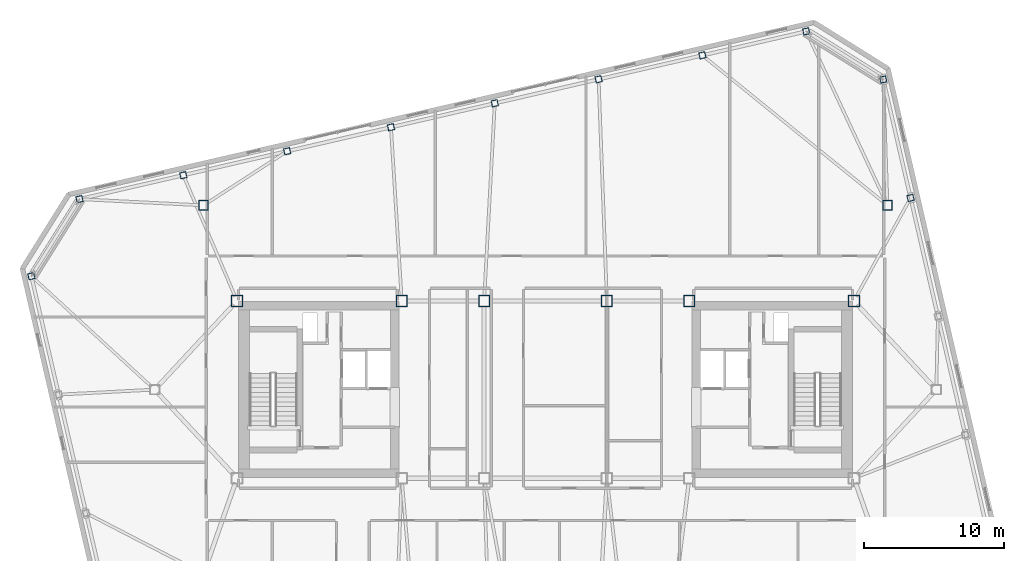
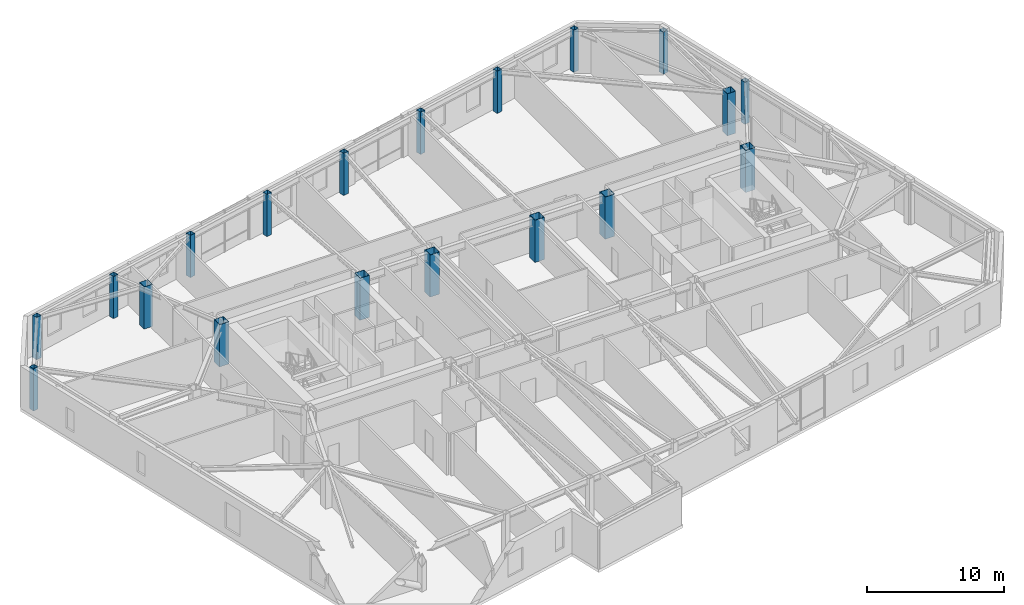
# One storey, part 3 of 21: 19 columns.
"""IFC4 building model written with IfcOpenShell, lengths in metres."""

import ifcopenshell
import ifcopenshell.guid

model = None  # the IFC model being written
_history = None  # IfcOwnerHistory: only IFC2X3 demands one
_inside = {}  # id of a spatial element -> (the spatial element, [elements in it])
_under = {}  # id of a project, library or spatial element -> (it, [spatial elements below it])
_declared = {}  # id of a project -> (the project, [libraries it declares])
_typed = {}  # id of a type object -> (the type object, [elements of that type])
_made_of = {}  # id of a material, layer set ... -> (it, [elements and type objects made of it])


def new_model(schema):
    """Start an empty IFC model of exactly this schema.

    Asked for "IFC4X3", IfcOpenShell would pick the latest addendum, in which some entities
    have other attributes; the version numbers below select the first issue.
    IFC2X3 requires an IfcOwnerHistory on every rooted entity: one is made here for all.
    """
    global model, _history
    if schema == "IFC4X3":
        model = ifcopenshell.file(schema_version=(4, 3, 0, 0))
    else:
        model = ifcopenshell.file(schema=schema)
    _inside.clear()
    _under.clear()
    _declared.clear()
    _typed.clear()
    _made_of.clear()
    _history = None
    if model.schema == "IFC2X3":
        org = make("IfcOrganization", Name="unknown")
        user = make(
            "IfcPersonAndOrganization",
            ThePerson=make("IfcPerson", FamilyName="unknown"),
            TheOrganization=org,
        )
        app = make(
            "IfcApplication",
            ApplicationDeveloper=org,
            Version="unknown",
            ApplicationFullName="unknown",
            ApplicationIdentifier="unknown",
        )
        _history = make(
            "IfcOwnerHistory",
            OwningUser=user,
            OwningApplication=app,
            ChangeAction="ADDED",
            CreationDate=0,
        )
    return model


def make(cls, **values):
    """One entity of the class cls with the attributes given. An attribute that is None is left unset."""
    return model.create_entity(
        cls, **{name: value for name, value in values.items() if value is not None}
    )


def rooted(cls, **values):
    """An entity with a GlobalId (a new one), such as an element, a storey or a relation."""
    return make(cls, GlobalId=ifcopenshell.guid.new(), OwnerHistory=_history, **values)


def si_unit(unit_type, name, prefix=None):
    """IfcSIUnit, for example si_unit("LENGTHUNIT", "METRE", prefix="MILLI")."""
    return make("IfcSIUnit", UnitType=unit_type, Prefix=prefix, Name=name)


def assignment(units):
    """IfcUnitAssignment: the units of a project."""
    return None if units is None else make("IfcUnitAssignment", Units=units)


def point(xyz):
    """IfcCartesianPoint."""
    return None if xyz is None else make("IfcCartesianPoint", Coordinates=xyz)


def direction(xyz):
    """IfcDirection."""
    return None if xyz is None else make("IfcDirection", DirectionRatios=xyz)


def frame(location, z_axis=None, x_axis=None):
    """IfcAxis2Placement3D, a coordinate frame: its origin and axes. An axis left out is left unset."""
    return make(
        "IfcAxis2Placement3D",
        Location=point(location),
        Axis=direction(z_axis),
        RefDirection=direction(x_axis),
    )


def frame_2d(location, x_axis=None):
    """IfcAxis2Placement2D, a coordinate frame in the plane: its origin and x axis."""
    return make(
        "IfcAxis2Placement2D", Location=point(location), RefDirection=direction(x_axis)
    )


def origin():
    """The frame at (0, 0, 0) with its axes left unset."""
    return frame((0.0, 0.0, 0.0))


def origin_2d():
    """The frame at (0, 0) in the plane with its x axis left unset."""
    return frame_2d((0.0, 0.0))


def place(relative_to, where):
    """IfcLocalPlacement: puts the frame where relative to a parent placement (None: the world)."""
    return make(
        "IfcLocalPlacement", PlacementRelTo=relative_to, RelativePlacement=where
    )


def context(
    kind, dimensions, precision=None, world=None, true_north=None, identifier=None
):
    """IfcGeometricRepresentationContext, for example the 3D "Model" context."""
    return make(
        "IfcGeometricRepresentationContext",
        ContextIdentifier=identifier,
        ContextType=kind,
        CoordinateSpaceDimension=dimensions,
        Precision=precision,
        WorldCoordinateSystem=world,
        TrueNorth=true_north,
    )


def subcontext(parent, identifier, kind, view, scale=None):
    """IfcGeometricRepresentationSubContext, for example "Body" below "Model"."""
    return make(
        "IfcGeometricRepresentationSubContext",
        ContextIdentifier=identifier,
        ContextType=kind,
        ParentContext=parent,
        TargetScale=scale,
        TargetView=view,
    )


def project(units=None, contexts=None):
    """IfcProject with its units and contexts."""
    return rooted(
        "IfcProject",
        Name="project",
        RepresentationContexts=contexts,
        UnitsInContext=assignment(units),
    )


def spatial(cls, under=None, at=None, **own):
    """A site, building, storey or space (cls), placed at a placement, below another one or the project."""
    s = rooted(cls, ObjectPlacement=at, **own)
    if under is not None:
        _under.setdefault(under.id(), (under, []))[1].append(s)
    return s


def profile(cls, at=None, kind="AREA", **sizes):
    """A parametric profile (cls). Its sizes go by their IFC names, for example OverallWidth=200.0."""
    return make(cls, ProfileType=kind, Position=at, **sizes)


def hollow_rectangle(**sizes):
    """IfcRectangleHollowProfileDef."""
    return profile("IfcRectangleHollowProfileDef", **sizes)


def extrude(swept, where, along, depth):
    """IfcExtrudedAreaSolid: the profile swept, set in the frame where, extruded along a direction by depth."""
    return make(
        "IfcExtrudedAreaSolid",
        SweptArea=swept,
        Position=where,
        ExtrudedDirection=direction(along),
        Depth=depth,
    )


def shape(context_of_items, identifier, shape_type, items):
    """IfcShapeRepresentation: the items that make up one representation, for example the "Body"."""
    return make(
        "IfcShapeRepresentation",
        ContextOfItems=context_of_items,
        RepresentationIdentifier=identifier,
        RepresentationType=shape_type,
        Items=items,
    )


def material(Name=None, Category=None):
    """IfcMaterial."""
    return make("IfcMaterial", Name=Name, Category=Category)


def material_profile(
    of_material, cross_section, Name=None, Category=None, Priority=None
):
    """IfcMaterialProfile: a cross section and its material."""
    return make(
        "IfcMaterialProfile",
        Name=Name,
        Material=of_material,
        Profile=cross_section,
        Priority=Priority,
        Category=Category,
    )


def profile_set(profiles, Name=None, composite=None):
    """IfcMaterialProfileSet."""
    return make(
        "IfcMaterialProfileSet",
        Name=Name,
        MaterialProfiles=profiles,
        CompositeProfile=composite,
    )


def made_of(thing, what):
    """Note that an element or type object is made of a material, layer set ...; save() writes the relation."""
    if what is not None:
        _made_of.setdefault(what.id(), (what, []))[1].append(thing)
    return thing


def type_object(cls, material=None, **own):
    """A type object (cls), such as IfcWallType, which elements share."""
    return made_of(rooted(cls, **own), material)


def element(
    cls,
    number,
    at=None,
    inside=None,
    cuts=None,
    type_object=None,
    material=None,
    context=None,
    identifier="Body",
    shape_type=None,
    held_by="IfcProductDefinitionShape",
    body=None,
    shapes=None,
    **own,
):
    """One element of the class cls, such as IfcWall. Its Tag is "e" and its number.

    at: its placement. inside: the storey or other place that contains it. cuts: it is an
    opening in that element (IfcRelVoidsElement). A single representation is given by context,
    identifier, shape_type and body (its items); several are given by shapes. held_by: the class
    of the entity that holds the representations. save() writes the other relations.
    """
    e = rooted(cls, Tag="e%d" % number, ObjectPlacement=at, **own)
    if body is not None:
        shapes = [shape(context, identifier, shape_type, body)]
    if shapes is not None:
        e.Representation = make(held_by, Representations=shapes)
    if inside is not None:
        _inside.setdefault(inside.id(), (inside, []))[1].append(e)
    if cuts is not None:
        rooted(
            "IfcRelVoidsElement", RelatingBuildingElement=cuts, RelatedOpeningElement=e
        )
    if type_object is not None:
        _typed.setdefault(type_object.id(), (type_object, []))[1].append(e)
    return made_of(e, material)


def aggregate(whole, parts):
    """IfcRelAggregates: a whole, such as a stair, and the parts it consists of."""
    return rooted("IfcRelAggregates", RelatingObject=whole, RelatedObjects=parts)


def save(model, path):
    """Write the relations noted so far, then the file.

    IfcRelAggregates (storeys below a building ...), IfcRelContainedInSpatialStructure (elements
    in a storey), IfcRelDefinesByType, IfcRelAssociatesMaterial and IfcRelDeclares: one each for
    every whole, place, type object, material and project.
    """
    for whole, parts in _under.values():
        aggregate(whole, parts)
    for where, things in _inside.values():
        rooted(
            "IfcRelContainedInSpatialStructure",
            RelatedElements=things,
            RelatingStructure=where,
        )
    for kind, things in _typed.values():
        rooted("IfcRelDefinesByType", RelatedObjects=things, RelatingType=kind)
    for what, things in _made_of.values():
        rooted("IfcRelAssociatesMaterial", RelatedObjects=things, RelatingMaterial=what)
    for by, libraries in _declared.values():
        rooted("IfcRelDeclares", RelatingContext=by, RelatedDefinitions=libraries)
    model.write(path)


model = new_model("IFC4")

# Units and contexts
model_context = context("Model", 3, precision=1e-05, world=origin(), true_north=direction((0.0, 1.0)))
body_context = subcontext(model_context, "Body", "Model", "MODEL_VIEW")
ifc_project = project(units=[si_unit("LENGTHUNIT", "METRE"), si_unit("AREAUNIT", "SQUARE_METRE"), si_unit("VOLUMEUNIT", "CUBIC_METRE"), si_unit("PLANEANGLEUNIT", "RADIAN"), si_unit("MASSUNIT", "GRAM", prefix="KILO")], contexts=[model_context])

# Site, building, storey
site_placement = place(None, origin())
site = spatial("IfcSite", under=ifc_project, at=site_placement, CompositionType="ELEMENT")
building_placement = place(site_placement, origin())
building = spatial("IfcBuilding", under=site, at=building_placement, Name="Tavrogorsk Clinical Tower", CompositionType="ELEMENT")
storey_placement = place(building_placement, frame((0.0, 0.0, 285.0)))
storey = spatial("IfcBuildingStorey", under=building, at=storey_placement, Name="L66", CompositionType="ELEMENT", Elevation=285.0)

# Columns
ifc_material_1 = material(Name="Structural steel S440", Category="steel")
ifc_material_profile_1 = material_profile(ifc_material_1, hollow_rectangle(XDim=0.699951171875, YDim=0.699951171875, WallThickness=0.031982421875, at=origin_2d()), Name="BOX-700x700x32")
ifc_profile_set_1 = profile_set([ifc_material_profile_1], Name="Structural steel S440")
column_type_1 = type_object("IfcColumnType", Name="MegaCol_BOX700", PredefinedType="COLUMN", material=ifc_profile_set_1)
for number, where, z_axis, x_axis, name in (
    (1, (-24.5, 13.199951171875, 0.0), (0.0, 0.0, 1.0), (1.0, 0.0, 0.0), "L66 Spine Pilotis Column MC-P3"),
    (2, (24.5, 13.199951171875, 0.0), (0.0, 0.0, 1.0), (1.0, 0.0, 0.0), "L66 Spine Pilotis Column MC-P4"),
):
    element("IfcColumn", number, at=place(storey_placement, frame(where, z_axis=z_axis, x_axis=x_axis)), inside=storey, type_object=column_type_1, Name=name, PredefinedType="COLUMN", context=body_context, shape_type="SweptSolid", body=[
        extrude(hollow_rectangle(XDim=0.699951171875, YDim=0.699951171875, WallThickness=0.031982421875, at=origin_2d()), origin(), (0.0, 0.0, 1.0), 3.739990234375),
    ])
ifc_material_2 = material(Name="Structural steel S440", Category="steel")
ifc_material_profile_2 = material_profile(ifc_material_2, hollow_rectangle(XDim=0.800048828125, YDim=0.800048828125, WallThickness=0.035888671875, at=origin_2d()), Name="BOX-800x800x36")
ifc_profile_set_2 = profile_set([ifc_material_profile_2], Name="Structural steel S440")
column_type_2 = type_object("IfcColumnType", Name="MegaCol_BOX800", PredefinedType="COLUMN", material=ifc_profile_set_2)
for number, where, z_axis, x_axis, name in (
    (3, (-22.10009765625, 6.35009765625, 0.0), (0.0, 0.0, 1.0), (1.0, 0.0, 0.0), "L66 Mega Column MC-W2"),
    (4, (-10.300048828125, 6.35009765625, 0.0), (0.0, 0.0, 1.0), (1.0, 0.0, 0.0), "L66 Mega Column MC-W4"),
    (5, (10.300048828125, 6.35009765625, 0.0), (0.0, 0.0, 1.0), (1.0, 0.0, 0.0), "L66 Mega Column MC-E2"),
    (6, (22.10009765625, 6.35009765625, 0.0), (0.0, 0.0, 1.0), (1.0, 0.0, 0.0), "L66 Mega Column MC-E4"),
    (7, (-4.39990234375, 6.35009765625, 0.0), (0.0, 0.0, 1.0), (1.0, 0.0, 0.0), "L66 Mega Column MC-C3"),
    (8, (4.39990234375, 6.35009765625, 0.0), (0.0, 0.0, 1.0), (1.0, 0.0, 0.0), "L66 Mega Column MC-C4"),
):
    element("IfcColumn", number, at=place(storey_placement, frame(where, z_axis=z_axis, x_axis=x_axis)), inside=storey, type_object=column_type_2, Name=name, PredefinedType="COLUMN", context=body_context, shape_type="SweptSolid", body=[
        extrude(hollow_rectangle(XDim=0.800048828125, YDim=0.800048828125, WallThickness=0.035888671875, at=origin_2d()), origin(), (0.0, 0.0, 1.0), 3.739990234375),
    ])
ifc_material_3 = material(Name="Structural steel S440", Category="steel")
ifc_material_profile_3 = material_profile(ifc_material_3, hollow_rectangle(XDim=0.449951171875, YDim=0.449951171875, WallThickness=0.02197265625, at=origin_2d()), Name="BOX-450x450x22")
ifc_profile_set_3 = profile_set([ifc_material_profile_3], Name="Structural steel S440")
column_type_3 = type_object("IfcColumnType", Name="PerimCol_B5_BOX450", PredefinedType="COLUMN", material=ifc_profile_set_3)
for number, where, z_axis, x_axis, name in (
    (9, (18.681640625, 25.666259765625, 0.0), (0.0, 0.0, 1.0), (0.974370064785, 0.224951054344, 0.0), "L66 Perimeter Column N1"),
    (10, (11.2431640625, 23.948974609375, 0.0), (0.0, 0.0, 1.0), (0.974370064785, 0.224951054344, 0.0), "L66 Perimeter Column N2"),
    (11, (3.804443359375, 22.231689453125, 0.0), (0.0, 0.0, 1.0), (0.974370064785, 0.224951054344, 0.0), "L66 Perimeter Column N3"),
    (12, (-3.63427734375, 20.514404296875, 0.0), (0.0, 0.0, 1.0), (0.974370064785, 0.224951054344, 0.0), "L66 Perimeter Column N4"),
    (13, (-11.07275390625, 18.797119140625, 0.0), (0.0, 0.0, 1.0), (0.974370064785, 0.224951054344, 0.0), "L66 Perimeter Column N5"),
    (14, (-18.51123046875, 17.07958984375, 0.0), (0.0, 0.0, 1.0), (0.974370064785, 0.224951054344, 0.0), "L66 Perimeter Column N6"),
    (15, (-25.949951171875, 15.3623046875, 0.0), (0.0, 0.0, 1.0), (0.974370064785, 0.224951054344, 0.0), "L66 Perimeter Column N7"),
    (16, (-33.388671875, 13.64501953125, 0.0), (0.0, 0.0, 1.0), (0.974370064785, 0.224951054344, 0.0), "L66 Perimeter Column N8"),
    (17, (26.157958984375, 13.732177734375, 0.0), (0.0, 0.0, 1.0), (0.974370064785, 0.224951054344, 0.0), "L66 Perimeter Column E4"),
    (18, (24.198486328125, 22.218994140625, 0.0), (0.0, 0.0, 1.0), (0.974370064785, 0.224951054344, 0.0), "L66 Perimeter Column E5"),
    (19, (-36.8359375, 8.128173828125, 0.0), (0.0, 0.0, 1.0), (0.974370064785, 0.224951054344, 0.0), "L66 Perimeter Column W1"),
):
    element("IfcColumn", number, at=place(storey_placement, frame(where, z_axis=z_axis, x_axis=x_axis)), inside=storey, type_object=column_type_3, Name=name, PredefinedType="COLUMN", context=body_context, shape_type="SweptSolid", body=[
        extrude(hollow_rectangle(XDim=0.449951171875, YDim=0.449951171875, WallThickness=0.02197265625, at=origin_2d()), origin(), (0.0, 0.0, 1.0), 3.739990234375),
    ])

save(model, "model.ifc")
